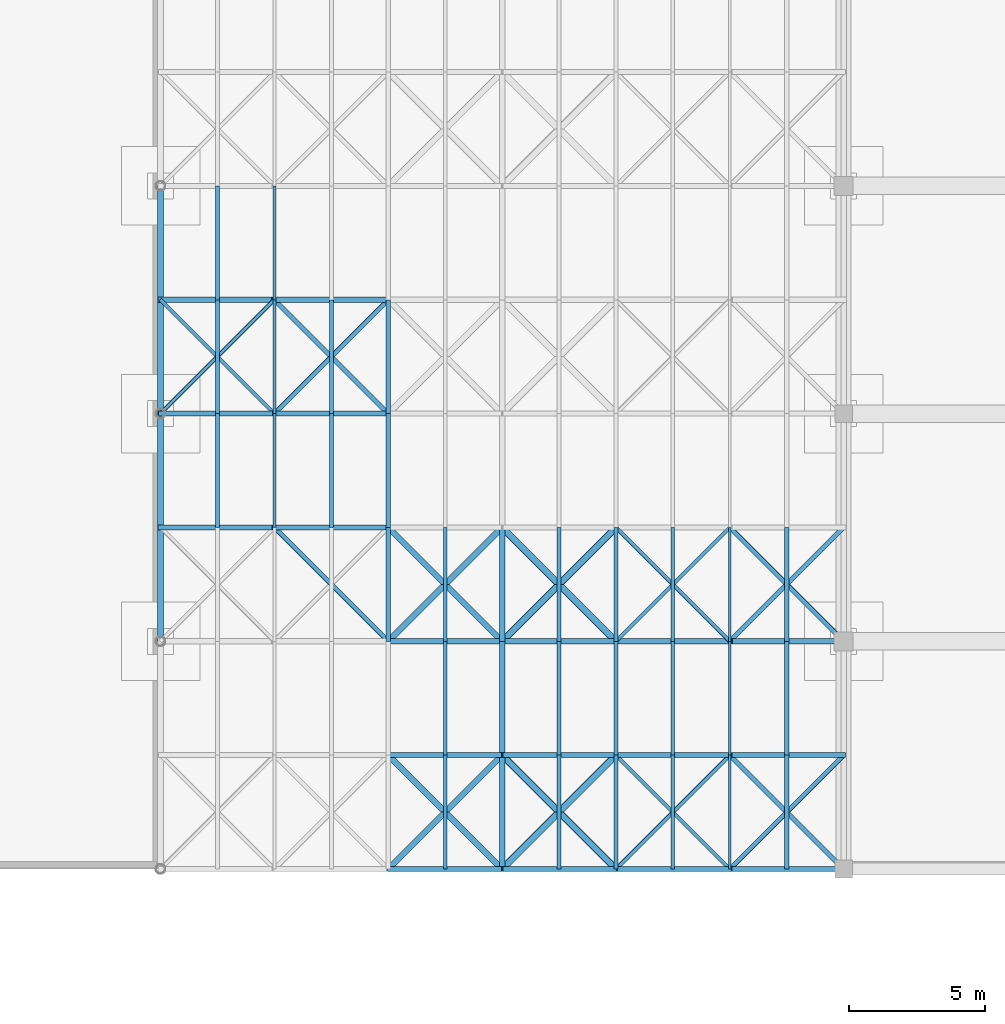
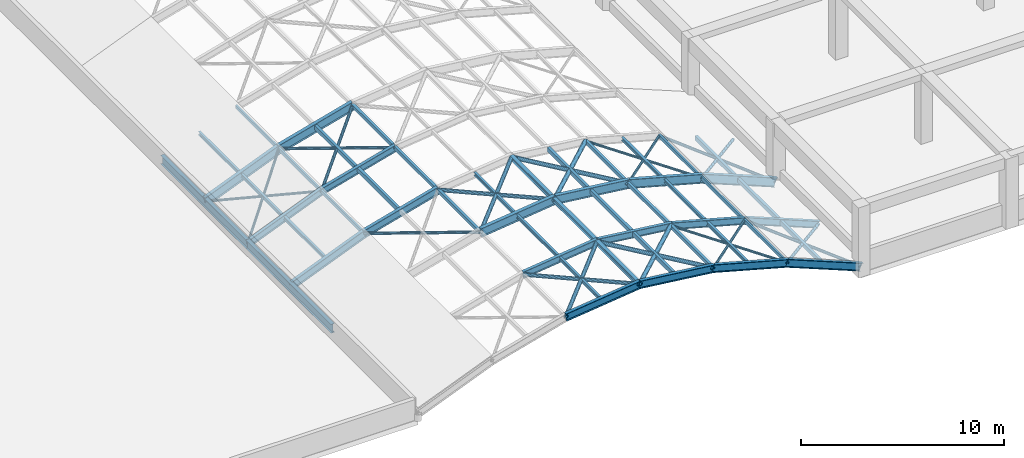
# One storey, part 18 of 85: 71 members, 2 beams.
"""IFC4 building model written with IfcOpenShell, lengths in metres."""

from ifc_helpers import new_model, si_unit, direction, frame, origin, origin_2d, place, context, subcontext, project, spatial, hollow_rectangle, hollow_circle, i_section, extrude, material, material_profile, profile_set, type_object, element, save


model = new_model("IFC4")

# Units and contexts
model_context = context("Model", 3, precision=1e-05, world=origin(), true_north=direction((0.0, 1.0)))
body_context = subcontext(model_context, "Body", "Model", "MODEL_VIEW")
ifc_project = project(units=[si_unit("LENGTHUNIT", "METRE"), si_unit("AREAUNIT", "SQUARE_METRE"), si_unit("VOLUMEUNIT", "CUBIC_METRE"), si_unit("PLANEANGLEUNIT", "RADIAN"), si_unit("MASSUNIT", "GRAM", prefix="KILO")], contexts=[model_context])

# Site, building, storey
site_placement = place(None, origin())
site = spatial("IfcSite", under=ifc_project, at=site_placement, CompositionType="ELEMENT")
building_placement = place(site_placement, origin())
building = spatial("IfcBuilding", under=site, at=building_placement, Name="Almacenes y Pasaje Nevantli", CompositionType="ELEMENT")
storey_placement = place(building_placement, frame((0.0, 0.0, 22.199951171875)))
storey = spatial("IfcBuildingStorey", under=building, at=storey_placement, Name="L05", CompositionType="ELEMENT", Elevation=22.199951171875)

# Beams
ifc_material_1 = material(Name="Steel ASTM A992", Category="steel")
ifc_material_profile_1 = material_profile(ifc_material_1, i_section(OverallWidth=0.208984375, OverallDepth=0.532958984375, WebThickness=0.01025390625, FlangeThickness=0.015625, at=origin_2d()), Name="IR 533x92.5")
ifc_profile_set_1 = profile_set([ifc_material_profile_1], Name="Steel ASTM A992")
beam_type = type_object("IfcBeamType", Name="BM-STL-IR-533x92p5", PredefinedType="BEAM", material=ifc_profile_set_1)
beam_1_placement = place(storey_placement, frame((67.199951171875, 8.39990234375, 0.400146484375), z_axis=(0.0, 1.0, 0.0), x_axis=(-1.0, 0.0, 0.0)))
element("IfcBeam", 1, at=beam_1_placement, inside=storey, type_object=beam_type, Name="L05 Arcade Barrel Vault Eave Steel Girder #1.2", PredefinedType="BEAM", context=body_context, shape_type="SweptSolid", body=[
    extrude(i_section(OverallWidth=0.208984375, OverallDepth=0.532958984375, WebThickness=0.01025390625, FlangeThickness=0.015625, at=origin_2d()), origin(), (0.0, 0.0, 1.0), 8.400146484375),
])
beam_2_placement = place(storey_placement, frame((67.199951171875, 16.800048828125, 0.400146484375), z_axis=(0.0, 1.0, 0.0), x_axis=(-1.0, 0.0, 0.0)))
element("IfcBeam", 2, at=beam_2_placement, inside=storey, type_object=beam_type, Name="L05 Arcade Barrel Vault Eave Steel Girder #1.3", PredefinedType="BEAM", context=body_context, shape_type="SweptSolid", body=[
    extrude(i_section(OverallWidth=0.208984375, OverallDepth=0.532958984375, WebThickness=0.01025390625, FlangeThickness=0.015625, at=origin_2d()), origin(), (0.0, 0.0, 1.0), 8.39990234375),
])

# Members
ifc_material_2 = material(Name="Steel ASTM A992", Category="steel")
ifc_material_profile_2 = material_profile(ifc_material_2, i_section(OverallWidth=0.180908203125, OverallDepth=0.406005859375, WebThickness=0.010986328125, FlangeThickness=0.018310546875, at=origin_2d()), Name="IR 406x85.0")
ifc_profile_set_2 = profile_set([ifc_material_profile_2], Name="Steel ASTM A992")
member_type_1 = type_object("IfcMemberType", Name="MBR-ARCH-IR406x85", PredefinedType="USERDEFINED", material=ifc_profile_set_2)
for number, where, z_axis, x_axis, name in (
    (3, (75.60009765625, 4.199951171875, 3.25), (0.99298811287, 0.0, 0.118214244908), (0.0, 1.0, 0.0), "Arcade Barrel Vault Steel Arch Rib 2.3"),
    (4, (79.800048828125, 4.199951171875, 3.75), (0.99298811287, 0.0, -0.118214244908), (0.0, 1.0, 0.0), "Arcade Barrel Vault Steel Arch Rib 2.4"),
):
    element("IfcMember", number, at=place(storey_placement, frame(where, z_axis=z_axis, x_axis=x_axis)), inside=storey, type_object=member_type_1, Name=name, ObjectType="ARCH RIB", PredefinedType="USERDEFINED", context=body_context, shape_type="SweptSolid", body=[
        extrude(i_section(OverallWidth=0.180908203125, OverallDepth=0.406005859375, WebThickness=0.010986328125, FlangeThickness=0.018310546875, at=origin_2d()), origin(), (0.0, 0.0, 1.0), 4.2294921875),
    ])
member_1_placement = place(storey_placement, frame((84.0, 4.199951171875, 3.25), z_axis=(0.964503290046, 0.0, -0.264070830443), x_axis=(0.0, 1.0, 0.0)))
element("IfcMember", 5, at=member_1_placement, inside=storey, type_object=member_type_1, Name="Arcade Barrel Vault Steel Arch Rib 2.5", ObjectType="ARCH RIB", PredefinedType="USERDEFINED", context=body_context, shape_type="SweptSolid", body=[
    extrude(i_section(OverallWidth=0.180908203125, OverallDepth=0.406005859375, WebThickness=0.010986328125, FlangeThickness=0.018310546875, at=origin_2d()), origin(), (0.0, 0.0, 1.0), 4.3544921875),
])
for number, where, z_axis, x_axis, name in (
    (6, (88.199951171875, 4.199951171875, 2.10009765625), (0.926949044115, 0.0, -0.375187246072), (0.0, 1.0, 0.0), "Arcade Barrel Vault Steel Arch Rib 2.6"),
    (7, (67.199951171875, 16.800048828125, 0.400146484375), (0.926949044115, 0.0, 0.375187246072), (0.0, 1.0, 0.0), "Arcade Barrel Vault Steel Arch Rib 5.1"),
):
    element("IfcMember", number, at=place(storey_placement, frame(where, z_axis=z_axis, x_axis=x_axis)), inside=storey, type_object=member_type_1, Name=name, ObjectType="ARCH RIB", PredefinedType="USERDEFINED", context=body_context, shape_type="SweptSolid", body=[
        extrude(i_section(OverallWidth=0.180908203125, OverallDepth=0.406005859375, WebThickness=0.010986328125, FlangeThickness=0.018310546875, at=origin_2d()), origin(), (0.0, 0.0, 1.0), 4.531005859375),
    ])
member_2_placement = place(storey_placement, frame((71.39990234375, 16.800048828125, 2.10009765625), z_axis=(0.964507199401, 0.0, 0.264056551336), x_axis=(0.0, 1.0, 0.0)))
element("IfcMember", 8, at=member_2_placement, inside=storey, type_object=member_type_1, Name="Arcade Barrel Vault Steel Arch Rib 5.2", ObjectType="ARCH RIB", PredefinedType="USERDEFINED", context=body_context, shape_type="SweptSolid", body=[
    extrude(i_section(OverallWidth=0.180908203125, OverallDepth=0.406005859375, WebThickness=0.010986328125, FlangeThickness=0.018310546875, at=origin_2d()), origin(), (0.0, 0.0, 1.0), 4.354736328125),
])
ifc_material_3 = material(Name="Steel ASTM A992", Category="steel")
ifc_material_profile_3 = material_profile(ifc_material_3, i_section(OverallWidth=0.193115234375, OverallDepth=0.4599609375, WebThickness=0.011474609375, FlangeThickness=0.01904296875, at=origin_2d()), Name="IR 457x96.7")
ifc_profile_set_3 = profile_set([ifc_material_profile_3], Name="Steel ASTM A992")
member_type_2 = type_object("IfcMemberType", Name="MBR-ARCH-IR457x96", PredefinedType="USERDEFINED", material=ifc_profile_set_3)
for number, where, z_axis, x_axis, name in (
    (9, (75.60009765625, 0.0, 3.25), (0.99298811287, 0.0, 0.118214244908), (0.0, 1.0, 0.0), "Arcade Barrel Vault Steel Arch Rib 1.3"),
    (10, (79.800048828125, 0.0, 3.75), (0.99298811287, 0.0, -0.118214244908), (0.0, 1.0, 0.0), "Arcade Barrel Vault Steel Arch Rib 1.4"),
):
    element("IfcMember", number, at=place(storey_placement, frame(where, z_axis=z_axis, x_axis=x_axis)), inside=storey, type_object=member_type_2, Name=name, ObjectType="ARCH RIB", PredefinedType="USERDEFINED", context=body_context, shape_type="SweptSolid", body=[
        extrude(i_section(OverallWidth=0.193115234375, OverallDepth=0.4599609375, WebThickness=0.011474609375, FlangeThickness=0.01904296875, at=origin_2d()), origin(), (0.0, 0.0, 1.0), 4.2294921875),
    ])
member_3_placement = place(storey_placement, frame((84.0, 0.0, 3.25), z_axis=(0.964503290046, 0.0, -0.264070830443), x_axis=(0.0, 1.0, 0.0)))
element("IfcMember", 11, at=member_3_placement, inside=storey, type_object=member_type_2, Name="Arcade Barrel Vault Steel Arch Rib 1.5", ObjectType="ARCH RIB", PredefinedType="USERDEFINED", context=body_context, shape_type="SweptSolid", body=[
    extrude(i_section(OverallWidth=0.193115234375, OverallDepth=0.4599609375, WebThickness=0.011474609375, FlangeThickness=0.01904296875, at=origin_2d()), origin(), (0.0, 0.0, 1.0), 4.3544921875),
])
for number, where, z_axis, x_axis, name in (
    (12, (88.199951171875, 0.0, 2.10009765625), (0.926949044115, 0.0, -0.375187246072), (0.0, 1.0, 0.0), "Arcade Barrel Vault Steel Arch Rib 1.6"),
    (13, (67.199951171875, 12.60009765625, 0.400146484375), (0.926949044115, 0.0, 0.375187246072), (0.0, 1.0, 0.0), "Arcade Barrel Vault Steel Arch Rib 4.1"),
):
    element("IfcMember", number, at=place(storey_placement, frame(where, z_axis=z_axis, x_axis=x_axis)), inside=storey, type_object=member_type_2, Name=name, ObjectType="ARCH RIB", PredefinedType="USERDEFINED", context=body_context, shape_type="SweptSolid", body=[
        extrude(i_section(OverallWidth=0.193115234375, OverallDepth=0.4599609375, WebThickness=0.011474609375, FlangeThickness=0.01904296875, at=origin_2d()), origin(), (0.0, 0.0, 1.0), 4.531005859375),
    ])
member_4_placement = place(storey_placement, frame((71.39990234375, 12.60009765625, 2.10009765625), z_axis=(0.964507199401, 0.0, 0.264056551336), x_axis=(0.0, 1.0, 0.0)))
element("IfcMember", 14, at=member_4_placement, inside=storey, type_object=member_type_2, Name="Arcade Barrel Vault Steel Arch Rib 4.2", ObjectType="ARCH RIB", PredefinedType="USERDEFINED", context=body_context, shape_type="SweptSolid", body=[
    extrude(i_section(OverallWidth=0.193115234375, OverallDepth=0.4599609375, WebThickness=0.011474609375, FlangeThickness=0.01904296875, at=origin_2d()), origin(), (0.0, 0.0, 1.0), 4.354736328125),
])
ifc_material_4 = material(Name="Steel ASTM A992", Category="steel")
ifc_material_profile_4 = material_profile(ifc_material_4, i_section(OverallWidth=0.208984375, OverallDepth=0.532958984375, WebThickness=0.01025390625, FlangeThickness=0.015625, at=origin_2d()), Name="IR 533x92.5")
ifc_profile_set_4 = profile_set([ifc_material_profile_4], Name="Steel ASTM A992")
member_type_3 = type_object("IfcMemberType", Name="MBR-ARCH-IR533x92", PredefinedType="USERDEFINED", material=ifc_profile_set_4)
for number, where, z_axis, x_axis, name in (
    (15, (75.60009765625, 8.39990234375, 3.25), (0.99298811287, 0.0, 0.118214244908), (0.0, 1.0, 0.0), "Arcade Barrel Vault Steel Arch Rib 3.3"),
    (16, (79.800048828125, 8.39990234375, 3.75), (0.99298811287, 0.0, -0.118214244908), (0.0, 1.0, 0.0), "Arcade Barrel Vault Steel Arch Rib 3.4"),
):
    element("IfcMember", number, at=place(storey_placement, frame(where, z_axis=z_axis, x_axis=x_axis)), inside=storey, type_object=member_type_3, Name=name, ObjectType="ARCH RIB", PredefinedType="USERDEFINED", context=body_context, shape_type="SweptSolid", body=[
        extrude(i_section(OverallWidth=0.208984375, OverallDepth=0.532958984375, WebThickness=0.01025390625, FlangeThickness=0.015625, at=origin_2d()), origin(), (0.0, 0.0, 1.0), 4.2294921875),
    ])
member_5_placement = place(storey_placement, frame((84.0, 8.39990234375, 3.25), z_axis=(0.964503290046, 0.0, -0.264070830443), x_axis=(0.0, 1.0, 0.0)))
element("IfcMember", 17, at=member_5_placement, inside=storey, type_object=member_type_3, Name="Arcade Barrel Vault Steel Arch Rib 3.5", ObjectType="ARCH RIB", PredefinedType="USERDEFINED", context=body_context, shape_type="SweptSolid", body=[
    extrude(i_section(OverallWidth=0.208984375, OverallDepth=0.532958984375, WebThickness=0.01025390625, FlangeThickness=0.015625, at=origin_2d()), origin(), (0.0, 0.0, 1.0), 4.3544921875),
])
for number, where, z_axis, x_axis, name in (
    (18, (88.199951171875, 8.39990234375, 2.10009765625), (0.926949044115, 0.0, -0.375187246072), (0.0, 1.0, 0.0), "Arcade Barrel Vault Steel Arch Rib 3.6"),
    (19, (67.199951171875, 21.0, 0.400146484375), (0.926949044115, 0.0, 0.375187246072), (0.0, 1.0, 0.0), "Arcade Barrel Vault Steel Arch Rib 6.1"),
):
    element("IfcMember", number, at=place(storey_placement, frame(where, z_axis=z_axis, x_axis=x_axis)), inside=storey, type_object=member_type_3, Name=name, ObjectType="ARCH RIB", PredefinedType="USERDEFINED", context=body_context, shape_type="SweptSolid", body=[
        extrude(i_section(OverallWidth=0.208984375, OverallDepth=0.532958984375, WebThickness=0.01025390625, FlangeThickness=0.015625, at=origin_2d()), origin(), (0.0, 0.0, 1.0), 4.531005859375),
    ])
member_6_placement = place(storey_placement, frame((71.39990234375, 21.0, 2.10009765625), z_axis=(0.964507199401, 0.0, 0.264056551336), x_axis=(0.0, 1.0, 0.0)))
element("IfcMember", 20, at=member_6_placement, inside=storey, type_object=member_type_3, Name="Arcade Barrel Vault Steel Arch Rib 6.2", ObjectType="ARCH RIB", PredefinedType="USERDEFINED", context=body_context, shape_type="SweptSolid", body=[
    extrude(i_section(OverallWidth=0.208984375, OverallDepth=0.532958984375, WebThickness=0.01025390625, FlangeThickness=0.015625, at=origin_2d()), origin(), (0.0, 0.0, 1.0), 4.354736328125),
])
ifc_material_5 = material(Name="Steel ASTM A500 Grade C", Category="steel")
ifc_material_profile_5 = material_profile(ifc_material_5, hollow_circle(Radius=0.070556640625, WallThickness=0.006591796875, at=origin_2d()), Name="OC 141x6.6")
ifc_profile_set_5 = profile_set([ifc_material_profile_5], Name="Steel ASTM A500 Grade C")
member_type_4 = type_object("IfcMemberType", Name="MBR-BRC-OC141", PredefinedType="BRACE", material=ifc_profile_set_5)
for number, where, z_axis, x_axis, name in (
    (21, (84.0, 0.0, 3.25), (0.694216714393, 0.694216714393, -0.190069216113), (-0.707106781187, 0.707106781187, 0.0), "Arcade Barrel Vault Wind Brace 1.5A"),
    (22, (88.199951171875, 0.0, 2.10009765625), (-0.694216714393, 0.694216714393, 0.190069216113), (-0.707106781187, -0.707106781187, 0.0), "Arcade Barrel Vault Wind Brace 1.5B"),
):
    element("IfcMember", number, at=place(storey_placement, frame(where, z_axis=z_axis, x_axis=x_axis)), inside=storey, type_object=member_type_4, Name=name, PredefinedType="BRACE", context=body_context, shape_type="SweptSolid", body=[
        extrude(hollow_circle(Radius=0.070556640625, WallThickness=0.006591796875, at=origin_2d()), origin(), (0.0, 0.0, 1.0), 6.0498046875),
    ])
for number, where, z_axis, x_axis, name in (
    (23, (84.0, 8.39990234375, 3.25), (0.694197266374, 0.694237619642, -0.19006389145), (-0.707127332136, 0.70708622964, 0.0), "Arcade Barrel Vault Wind Brace 3.5A"),
    (24, (88.199951171875, 8.39990234375, 2.10009765625), (-0.694197266374, 0.694237619642, 0.19006389145), (-0.707127332136, -0.70708622964, 0.0), "Arcade Barrel Vault Wind Brace 3.5B"),
):
    element("IfcMember", number, at=place(storey_placement, frame(where, z_axis=z_axis, x_axis=x_axis)), inside=storey, type_object=member_type_4, Name=name, PredefinedType="BRACE", context=body_context, shape_type="SweptSolid", body=[
        extrude(hollow_circle(Radius=0.070556640625, WallThickness=0.006591796875, at=origin_2d()), origin(), (0.0, 0.0, 1.0), 6.050048828125),
    ])
for number, where, z_axis, x_axis, name in (
    (25, (67.199951171875, 16.800048828125, 0.400146484375), (0.679811915702, 0.679811915702, 0.275157261468), (-0.707106781187, 0.707106781187, 0.0), "Arcade Barrel Vault Wind Brace 5.1A"),
    (26, (71.39990234375, 16.800048828125, 2.10009765625), (-0.679811915702, 0.679811915702, -0.275157261468), (-0.707106781187, -0.707106781187, 0.0), "Arcade Barrel Vault Wind Brace 5.1B"),
):
    element("IfcMember", number, at=place(storey_placement, frame(where, z_axis=z_axis, x_axis=x_axis)), inside=storey, type_object=member_type_4, Name=name, PredefinedType="BRACE", context=body_context, shape_type="SweptSolid", body=[
        extrude(hollow_circle(Radius=0.070556640625, WallThickness=0.006591796875, at=origin_2d()), origin(), (0.0, 0.0, 1.0), 6.17822265625),
    ])
ifc_material_6 = material(Name="Steel ASTM A500 Grade C", Category="steel")
ifc_material_profile_6 = material_profile(ifc_material_6, hollow_circle(Radius=0.084228515625, WallThickness=0.007080078125, at=origin_2d()), Name="OC 168x7.1")
ifc_profile_set_6 = profile_set([ifc_material_profile_6], Name="Steel ASTM A500 Grade C")
member_type_5 = type_object("IfcMemberType", Name="MBR-BRC-OC168", PredefinedType="BRACE", material=ifc_profile_set_6)
for number, where, z_axis, x_axis, name in (
    (27, (88.199951171875, 0.0, 2.10009765625), (0.679811915702, 0.679811915702, -0.275157261468), (-0.707106781187, 0.707106781187, 0.0), "Arcade Barrel Vault Wind Brace 1.6A"),
    (28, (92.39990234375, 0.0, 0.400146484375), (-0.679811915702, 0.679811915702, 0.275157261468), (-0.707106781187, -0.707106781187, 0.0), "Arcade Barrel Vault Wind Brace 1.6B"),
):
    element("IfcMember", number, at=place(storey_placement, frame(where, z_axis=z_axis, x_axis=x_axis)), inside=storey, type_object=member_type_5, Name=name, PredefinedType="BRACE", context=body_context, shape_type="SweptSolid", body=[
        extrude(hollow_circle(Radius=0.084228515625, WallThickness=0.007080078125, at=origin_2d()), origin(), (0.0, 0.0, 1.0), 6.17822265625),
    ])
member_7_placement = place(storey_placement, frame((75.60009765625, 8.39990234375, 3.25), z_axis=(-0.694218172126, 0.694218172126, -0.190058567235), x_axis=(-0.707106781187, -0.707106781187, 0.0)))
element("IfcMember", 29, at=member_7_placement, inside=storey, type_object=member_type_5, Name="Arcade Barrel Vault Wind Brace 3.2B", PredefinedType="BRACE", context=body_context, shape_type="SweptSolid", body=[
    extrude(hollow_circle(Radius=0.084228515625, WallThickness=0.007080078125, at=origin_2d()), origin(), (0.0, 0.0, 1.0), 6.05029296875),
])
for number, where, z_axis, x_axis, name in (
    (30, (88.199951171875, 8.39990234375, 2.10009765625), (0.679793653327, 0.679833169322, -0.275149869681), (-0.707127332136, 0.70708622964, 0.0), "Arcade Barrel Vault Wind Brace 3.6A"),
    (31, (92.39990234375, 8.39990234375, 0.400146484375), (-0.679793653327, 0.679833169322, 0.275149869681), (-0.707127332136, -0.70708622964, 0.0), "Arcade Barrel Vault Wind Brace 3.6B"),
):
    element("IfcMember", number, at=place(storey_placement, frame(where, z_axis=z_axis, x_axis=x_axis)), inside=storey, type_object=member_type_5, Name=name, PredefinedType="BRACE", context=body_context, shape_type="SweptSolid", body=[
        extrude(hollow_circle(Radius=0.084228515625, WallThickness=0.007080078125, at=origin_2d()), origin(), (0.0, 0.0, 1.0), 6.17822265625),
    ])
for number, where, z_axis, x_axis, name in (
    (32, (71.39990234375, 16.800048828125, 2.10009765625), (0.694237619642, 0.694197266374, 0.19006389145), (-0.70708622964, 0.707127332136, 0.0), "Arcade Barrel Vault Wind Brace 5.2A"),
    (33, (75.60009765625, 16.800048828125, 3.25), (-0.694237619642, 0.694197266374, -0.19006389145), (-0.70708622964, -0.707127332136, 0.0), "Arcade Barrel Vault Wind Brace 5.2B"),
):
    element("IfcMember", number, at=place(storey_placement, frame(where, z_axis=z_axis, x_axis=x_axis)), inside=storey, type_object=member_type_5, Name=name, PredefinedType="BRACE", context=body_context, shape_type="SweptSolid", body=[
        extrude(hollow_circle(Radius=0.084228515625, WallThickness=0.007080078125, at=origin_2d()), origin(), (0.0, 0.0, 1.0), 6.050048828125),
    ])
ifc_material_7 = material(Name="Steel ASTM A500 Grade C", Category="steel")
ifc_material_profile_7 = material_profile(ifc_material_7, hollow_circle(Radius=0.109619140625, WallThickness=0.00830078125, at=origin_2d()), Name="OC 219x8.2")
ifc_profile_set_7 = profile_set([ifc_material_profile_7], Name="Steel ASTM A500 Grade C")
member_type_6 = type_object("IfcMemberType", Name="MBR-BRC-OC219", PredefinedType="BRACE", material=ifc_profile_set_7)
for number, where, z_axis, x_axis, name in (
    (34, (75.60009765625, 0.0, 3.25), (0.70461462169, 0.70461462169, 0.083883668268), (-0.707106781187, 0.707106781187, 0.0), "Arcade Barrel Vault Wind Brace 1.3A"),
    (35, (79.800048828125, 0.0, 3.75), (-0.70461462169, 0.70461462169, -0.083883668268), (-0.707106781187, -0.707106781187, 0.0), "Arcade Barrel Vault Wind Brace 1.3B"),
    (36, (75.60009765625, 8.39990234375, 3.25), (0.704594286671, 0.704635244311, 0.083881247405), (-0.707127332136, 0.70708622964, 0.0), "Arcade Barrel Vault Wind Brace 3.3A"),
    (37, (79.800048828125, 8.39990234375, 3.75), (-0.704594286671, 0.704635244311, -0.083881247405), (-0.707127332136, -0.70708622964, 0.0), "Arcade Barrel Vault Wind Brace 3.3B"),
):
    element("IfcMember", number, at=place(storey_placement, frame(where, z_axis=z_axis, x_axis=x_axis)), inside=storey, type_object=member_type_6, Name=name, PredefinedType="BRACE", context=body_context, shape_type="SweptSolid", body=[
        extrude(hollow_circle(Radius=0.109619140625, WallThickness=0.00830078125, at=origin_2d()), origin(), (0.0, 0.0, 1.0), 5.960693359375),
    ])
ifc_material_8 = material(Name="Steel ASTM A500 Grade C", Category="steel")
ifc_material_profile_8 = material_profile(ifc_material_8, hollow_circle(Radius=0.122314453125, WallThickness=0.0087890625, at=origin_2d()), Name="OC 244x8.9")
ifc_profile_set_8 = profile_set([ifc_material_profile_8], Name="Steel ASTM A500 Grade C")
member_type_7 = type_object("IfcMemberType", Name="MBR-BRC-OC244", PredefinedType="BRACE", material=ifc_profile_set_8)
for number, where, z_axis, x_axis, name in (
    (38, (79.800048828125, 0.0, 3.75), (0.70461462169, 0.70461462169, -0.083883668268), (-0.707106781187, 0.707106781187, 0.0), "Arcade Barrel Vault Wind Brace 1.4A"),
    (39, (84.0, 0.0, 3.25), (-0.70461462169, 0.70461462169, 0.083883668268), (-0.707106781187, -0.707106781187, 0.0), "Arcade Barrel Vault Wind Brace 1.4B"),
    (40, (79.800048828125, 8.39990234375, 3.75), (0.704594286671, 0.704635244311, -0.083881247405), (-0.707127332136, 0.70708622964, 0.0), "Arcade Barrel Vault Wind Brace 3.4A"),
    (41, (84.0, 8.39990234375, 3.25), (-0.704594286671, 0.704635244311, 0.083881247405), (-0.707127332136, -0.70708622964, 0.0), "Arcade Barrel Vault Wind Brace 3.4B"),
):
    element("IfcMember", number, at=place(storey_placement, frame(where, z_axis=z_axis, x_axis=x_axis)), inside=storey, type_object=member_type_7, Name=name, PredefinedType="BRACE", context=body_context, shape_type="SweptSolid", body=[
        extrude(hollow_circle(Radius=0.122314453125, WallThickness=0.0087890625, at=origin_2d()), origin(), (0.0, 0.0, 1.0), 5.960693359375),
    ])
ifc_material_9 = material(Name="Steel ASTM A992", Category="steel")
ifc_material_profile_9 = material_profile(ifc_material_9, i_section(OverallWidth=0.134033203125, OverallDepth=0.2099609375, WebThickness=0.00634765625, FlangeThickness=0.01025390625, at=origin_2d()), Name="IR 203x31.3")
ifc_profile_set_9 = profile_set([ifc_material_profile_9], Name="Steel ASTM A992")
member_type_8 = type_object("IfcMemberType", Name="MBR-PUR-IR203x31", PredefinedType="PURLIN", material=ifc_profile_set_9)
for number, where, z_axis, x_axis, name in (
    (42, (77.699951171875, 0.0, 3.5), (0.0, 1.0, 0.0), (-1.0, 0.0, 0.0), "Arcade Barrel Vault Secondary Steel Purlin #8"),
    (43, (86.10009765625, 0.0, 2.675048828125), (0.0, 1.0, 0.0), (-1.0, 0.0, 0.0), "Arcade Barrel Vault Secondary Steel Purlin #10"),
    (44, (77.699951171875, 4.199951171875, 3.5), (0.0, 1.0, 0.0), (-1.0, 0.0, 0.0), "Arcade Barrel Vault Secondary Steel Purlin #19"),
    (45, (86.10009765625, 4.199951171875, 2.675048828125), (0.0, 1.0, 0.0), (-1.0, 0.0, 0.0), "Arcade Barrel Vault Secondary Steel Purlin #21"),
):
    element("IfcMember", number, at=place(storey_placement, frame(where, z_axis=z_axis, x_axis=x_axis)), inside=storey, type_object=member_type_8, Name=name, PredefinedType="PURLIN", context=body_context, shape_type="SweptSolid", body=[
        extrude(i_section(OverallWidth=0.134033203125, OverallDepth=0.2099609375, WebThickness=0.00634765625, FlangeThickness=0.01025390625, at=origin_2d()), origin(), (0.0, 0.0, 1.0), 4.199951171875),
    ])
for number, where, z_axis, x_axis, name in (
    (46, (77.699951171875, 8.39990234375, 3.5), (0.0, 1.0, 0.0), (-1.0, 0.0, 0.0), "Arcade Barrel Vault Secondary Steel Purlin #30"),
    (47, (86.10009765625, 8.39990234375, 2.675048828125), (0.0, 1.0, 0.0), (-1.0, 0.0, 0.0), "Arcade Barrel Vault Secondary Steel Purlin #32"),
):
    element("IfcMember", number, at=place(storey_placement, frame(where, z_axis=z_axis, x_axis=x_axis)), inside=storey, type_object=member_type_8, Name=name, PredefinedType="PURLIN", context=body_context, shape_type="SweptSolid", body=[
        extrude(i_section(OverallWidth=0.134033203125, OverallDepth=0.2099609375, WebThickness=0.00634765625, FlangeThickness=0.01025390625, at=origin_2d()), origin(), (0.0, 0.0, 1.0), 4.2001953125),
    ])
for number, where, z_axis, x_axis, name in (
    (48, (69.300048828125, 12.60009765625, 1.25), (0.0, 1.0, 0.0), (-1.0, 0.0, 0.0), "Arcade Barrel Vault Secondary Steel Purlin #39"),
    (49, (69.300048828125, 16.800048828125, 1.25), (0.0, 1.0, 0.0), (-1.0, 0.0, 0.0), "Arcade Barrel Vault Secondary Steel Purlin #50"),
    (50, (69.300048828125, 21.0, 1.25), (0.0, 1.0, 0.0), (-1.0, 0.0, 0.0), "Arcade Barrel Vault Secondary Steel Purlin #61"),
):
    element("IfcMember", number, at=place(storey_placement, frame(where, z_axis=z_axis, x_axis=x_axis)), inside=storey, type_object=member_type_8, Name=name, PredefinedType="PURLIN", context=body_context, shape_type="SweptSolid", body=[
        extrude(i_section(OverallWidth=0.134033203125, OverallDepth=0.2099609375, WebThickness=0.00634765625, FlangeThickness=0.01025390625, at=origin_2d()), origin(), (0.0, 0.0, 1.0), 4.199951171875),
    ])
ifc_material_10 = material(Name="Steel ASTM A992", Category="steel")
ifc_material_profile_10 = material_profile(ifc_material_10, i_section(OverallWidth=0.202880859375, OverallDepth=0.25390625, WebThickness=0.00732421875, FlangeThickness=0.010986328125, at=origin_2d()), Name="IR 254x49.1")
ifc_profile_set_10 = profile_set([ifc_material_profile_10], Name="Steel ASTM A992")
member_type_9 = type_object("IfcMemberType", Name="MBR-PUR-IR254x49", PredefinedType="PURLIN", material=ifc_profile_set_10)
for number, where, z_axis, x_axis, name in (
    (51, (79.800048828125, 0.0, 3.75), (0.0, 1.0, 0.0), (-1.0, 0.0, 0.0), "Arcade Barrel Vault Steel Purlin #3"),
    (52, (79.800048828125, 4.199951171875, 3.75), (0.0, 1.0, 0.0), (-1.0, 0.0, 0.0), "Arcade Barrel Vault Steel Purlin #14"),
):
    element("IfcMember", number, at=place(storey_placement, frame(where, z_axis=z_axis, x_axis=x_axis)), inside=storey, type_object=member_type_9, Name=name, PredefinedType="PURLIN", context=body_context, shape_type="SweptSolid", body=[
        extrude(i_section(OverallWidth=0.202880859375, OverallDepth=0.25390625, WebThickness=0.00732421875, FlangeThickness=0.010986328125, at=origin_2d()), origin(), (0.0, 0.0, 1.0), 4.199951171875),
    ])
member_8_placement = place(storey_placement, frame((79.800048828125, 8.39990234375, 3.75), z_axis=(0.0, 1.0, 0.0), x_axis=(-1.0, 0.0, 0.0)))
element("IfcMember", 53, at=member_8_placement, inside=storey, type_object=member_type_9, Name="Arcade Barrel Vault Steel Purlin #25", PredefinedType="PURLIN", context=body_context, shape_type="SweptSolid", body=[
    extrude(i_section(OverallWidth=0.202880859375, OverallDepth=0.25390625, WebThickness=0.00732421875, FlangeThickness=0.010986328125, at=origin_2d()), origin(), (0.0, 0.0, 1.0), 4.2001953125),
])
ifc_material_11 = material(Name="Steel ASTM A500 Grade C", Category="steel")
ifc_material_profile_11 = material_profile(ifc_material_11, hollow_rectangle(XDim=0.1015625, YDim=0.203125, WallThickness=0.0078125, at=origin_2d()), Name="OR 203x102x7.9")
ifc_profile_set_11 = profile_set([ifc_material_profile_11], Name="Steel ASTM A500 Grade C")
member_type_10 = type_object("IfcMemberType", Name="MBR-PUR-OR203x102", PredefinedType="PURLIN", material=ifc_profile_set_11)
for number, where, z_axis, x_axis, name in (
    (54, (88.199951171875, 0.0, 2.10009765625), (0.0, 1.0, 0.0), (-1.0, 0.0, 0.0), "Arcade Barrel Vault Steel Purlin #5"),
    (55, (88.199951171875, 4.199951171875, 2.10009765625), (0.0, 1.0, 0.0), (-1.0, 0.0, 0.0), "Arcade Barrel Vault Steel Purlin #16"),
):
    element("IfcMember", number, at=place(storey_placement, frame(where, z_axis=z_axis, x_axis=x_axis)), inside=storey, type_object=member_type_10, Name=name, PredefinedType="PURLIN", context=body_context, shape_type="SweptSolid", body=[
        extrude(hollow_rectangle(XDim=0.1015625, YDim=0.203125, WallThickness=0.0078125, at=origin_2d()), origin(), (0.0, 0.0, 1.0), 4.199951171875),
    ])
member_9_placement = place(storey_placement, frame((88.199951171875, 8.39990234375, 2.10009765625), z_axis=(0.0, 1.0, 0.0), x_axis=(-1.0, 0.0, 0.0)))
element("IfcMember", 56, at=member_9_placement, inside=storey, type_object=member_type_10, Name="Arcade Barrel Vault Steel Purlin #27", PredefinedType="PURLIN", context=body_context, shape_type="SweptSolid", body=[
    extrude(hollow_rectangle(XDim=0.1015625, YDim=0.203125, WallThickness=0.0078125, at=origin_2d()), origin(), (0.0, 0.0, 1.0), 4.2001953125),
])
for number, where, z_axis, x_axis, name in (
    (57, (71.39990234375, 12.60009765625, 2.10009765625), (0.0, 1.0, 0.0), (-1.0, 0.0, 0.0), "Arcade Barrel Vault Steel Purlin #34"),
    (58, (71.39990234375, 16.800048828125, 2.10009765625), (0.0, 1.0, 0.0), (-1.0, 0.0, 0.0), "Arcade Barrel Vault Steel Purlin #45"),
    (59, (71.39990234375, 21.0, 2.10009765625), (0.0, 1.0, 0.0), (-1.0, 0.0, 0.0), "Arcade Barrel Vault Steel Purlin #56"),
):
    element("IfcMember", number, at=place(storey_placement, frame(where, z_axis=z_axis, x_axis=x_axis)), inside=storey, type_object=member_type_10, Name=name, PredefinedType="PURLIN", context=body_context, shape_type="SweptSolid", body=[
        extrude(hollow_rectangle(XDim=0.1015625, YDim=0.203125, WallThickness=0.0078125, at=origin_2d()), origin(), (0.0, 0.0, 1.0), 4.199951171875),
    ])
ifc_material_12 = material(Name="Steel ASTM A500 Grade C", Category="steel")
ifc_material_profile_12 = material_profile(ifc_material_12, hollow_rectangle(XDim=0.15234375, YDim=0.203125, WallThickness=0.0078125, at=origin_2d()), Name="OR 203x152x7.9")
ifc_profile_set_12 = profile_set([ifc_material_profile_12], Name="Steel ASTM A500 Grade C")
member_type_11 = type_object("IfcMemberType", Name="MBR-PUR-OR203x152", PredefinedType="PURLIN", material=ifc_profile_set_12)
for number, where, z_axis, x_axis, name in (
    (60, (84.0, 0.0, 3.25), (0.0, 1.0, 0.0), (-1.0, 0.0, 0.0), "Arcade Barrel Vault Steel Purlin #4"),
    (61, (84.0, 4.199951171875, 3.25), (0.0, 1.0, 0.0), (-1.0, 0.0, 0.0), "Arcade Barrel Vault Steel Purlin #15"),
):
    element("IfcMember", number, at=place(storey_placement, frame(where, z_axis=z_axis, x_axis=x_axis)), inside=storey, type_object=member_type_11, Name=name, PredefinedType="PURLIN", context=body_context, shape_type="SweptSolid", body=[
        extrude(hollow_rectangle(XDim=0.15234375, YDim=0.203125, WallThickness=0.0078125, at=origin_2d()), origin(), (0.0, 0.0, 1.0), 4.199951171875),
    ])
for number, where, z_axis, x_axis, name in (
    (62, (75.60009765625, 8.39990234375, 3.25), (0.0, 1.0, 0.0), (-1.0, 0.0, 0.0), "Arcade Barrel Vault Steel Purlin #24"),
    (63, (84.0, 8.39990234375, 3.25), (0.0, 1.0, 0.0), (-1.0, 0.0, 0.0), "Arcade Barrel Vault Steel Purlin #26"),
):
    element("IfcMember", number, at=place(storey_placement, frame(where, z_axis=z_axis, x_axis=x_axis)), inside=storey, type_object=member_type_11, Name=name, PredefinedType="PURLIN", context=body_context, shape_type="SweptSolid", body=[
        extrude(hollow_rectangle(XDim=0.15234375, YDim=0.203125, WallThickness=0.0078125, at=origin_2d()), origin(), (0.0, 0.0, 1.0), 4.2001953125),
    ])
for number, where, z_axis, x_axis, name in (
    (64, (75.60009765625, 12.60009765625, 3.25), (0.0, 1.0, 0.0), (-1.0, 0.0, 0.0), "Arcade Barrel Vault Steel Purlin #35"),
    (65, (75.60009765625, 16.800048828125, 3.25), (0.0, 1.0, 0.0), (-1.0, 0.0, 0.0), "Arcade Barrel Vault Steel Purlin #46"),
):
    element("IfcMember", number, at=place(storey_placement, frame(where, z_axis=z_axis, x_axis=x_axis)), inside=storey, type_object=member_type_11, Name=name, PredefinedType="PURLIN", context=body_context, shape_type="SweptSolid", body=[
        extrude(hollow_rectangle(XDim=0.15234375, YDim=0.203125, WallThickness=0.0078125, at=origin_2d()), origin(), (0.0, 0.0, 1.0), 4.199951171875),
    ])
ifc_material_13 = material(Name="Steel ASTM A500 Grade C", Category="steel")
ifc_material_profile_13 = material_profile(ifc_material_13, hollow_rectangle(XDim=0.15234375, YDim=0.25390625, WallThickness=0.009521484375, at=origin_2d()), Name="OR 254x152x9.5")
ifc_profile_set_13 = profile_set([ifc_material_profile_13], Name="Steel ASTM A500 Grade C")
member_type_12 = type_object("IfcMemberType", Name="MBR-PUR-OR254x152", PredefinedType="PURLIN", material=ifc_profile_set_13)
for number, where, z_axis, x_axis, name in (
    (66, (81.89990234375, 0.0, 3.5), (0.0, 1.0, 0.0), (-1.0, 0.0, 0.0), "Arcade Barrel Vault Secondary Steel Purlin #9"),
    (67, (90.300048828125, 0.0, 1.25), (0.0, 1.0, 0.0), (-1.0, 0.0, 0.0), "Arcade Barrel Vault Secondary Steel Purlin #11"),
    (68, (81.89990234375, 4.199951171875, 3.5), (0.0, 1.0, 0.0), (-1.0, 0.0, 0.0), "Arcade Barrel Vault Secondary Steel Purlin #20"),
    (69, (90.300048828125, 4.199951171875, 1.25), (0.0, 1.0, 0.0), (-1.0, 0.0, 0.0), "Arcade Barrel Vault Secondary Steel Purlin #22"),
):
    element("IfcMember", number, at=place(storey_placement, frame(where, z_axis=z_axis, x_axis=x_axis)), inside=storey, type_object=member_type_12, Name=name, PredefinedType="PURLIN", context=body_context, shape_type="SweptSolid", body=[
        extrude(hollow_rectangle(XDim=0.15234375, YDim=0.25390625, WallThickness=0.009521484375, at=origin_2d()), origin(), (0.0, 0.0, 1.0), 4.199951171875),
    ])
for number, where, z_axis, x_axis, name in (
    (70, (81.89990234375, 8.39990234375, 3.5), (0.0, 1.0, 0.0), (-1.0, 0.0, 0.0), "Arcade Barrel Vault Secondary Steel Purlin #31"),
    (71, (90.300048828125, 8.39990234375, 1.25), (0.0, 1.0, 0.0), (-1.0, 0.0, 0.0), "Arcade Barrel Vault Secondary Steel Purlin #33"),
):
    element("IfcMember", number, at=place(storey_placement, frame(where, z_axis=z_axis, x_axis=x_axis)), inside=storey, type_object=member_type_12, Name=name, PredefinedType="PURLIN", context=body_context, shape_type="SweptSolid", body=[
        extrude(hollow_rectangle(XDim=0.15234375, YDim=0.25390625, WallThickness=0.009521484375, at=origin_2d()), origin(), (0.0, 0.0, 1.0), 4.2001953125),
    ])
for number, where, z_axis, x_axis, name in (
    (72, (73.5, 12.60009765625, 2.675048828125), (0.0, 1.0, 0.0), (-1.0, 0.0, 0.0), "Arcade Barrel Vault Secondary Steel Purlin #40"),
    (73, (73.5, 16.800048828125, 2.675048828125), (0.0, 1.0, 0.0), (-1.0, 0.0, 0.0), "Arcade Barrel Vault Secondary Steel Purlin #51"),
):
    element("IfcMember", number, at=place(storey_placement, frame(where, z_axis=z_axis, x_axis=x_axis)), inside=storey, type_object=member_type_12, Name=name, PredefinedType="PURLIN", context=body_context, shape_type="SweptSolid", body=[
        extrude(hollow_rectangle(XDim=0.15234375, YDim=0.25390625, WallThickness=0.009521484375, at=origin_2d()), origin(), (0.0, 0.0, 1.0), 4.199951171875),
    ])

save(model, "model.ifc")
